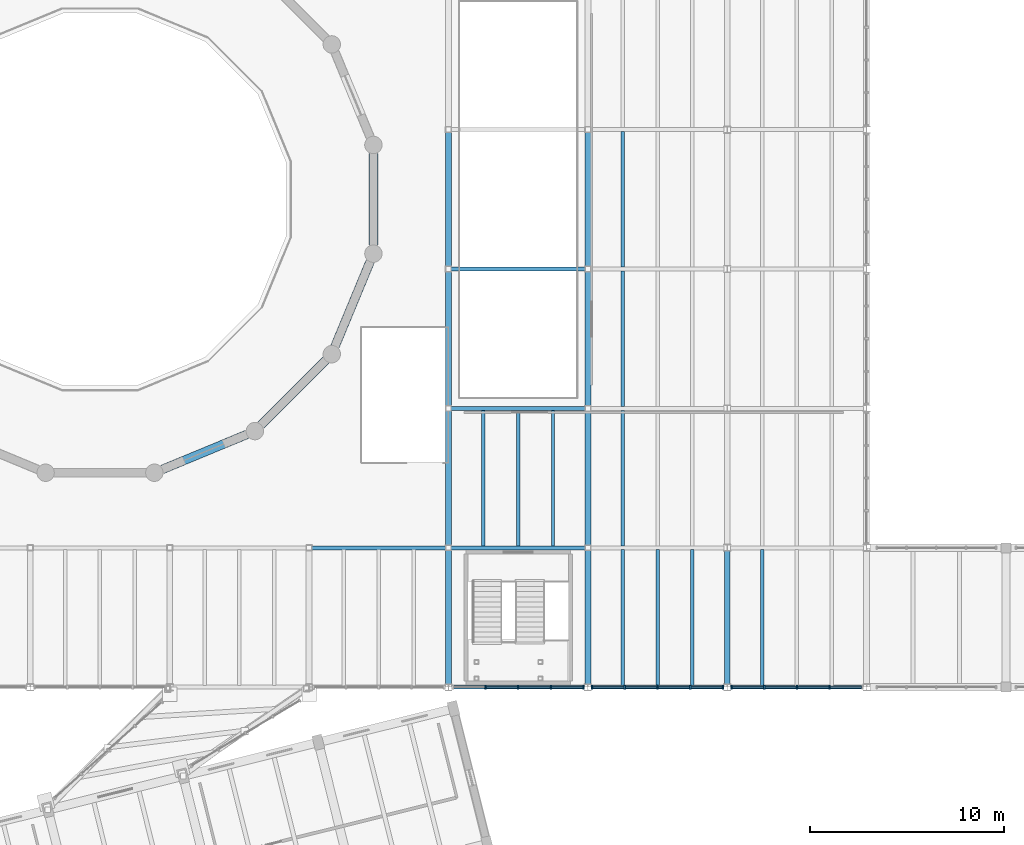
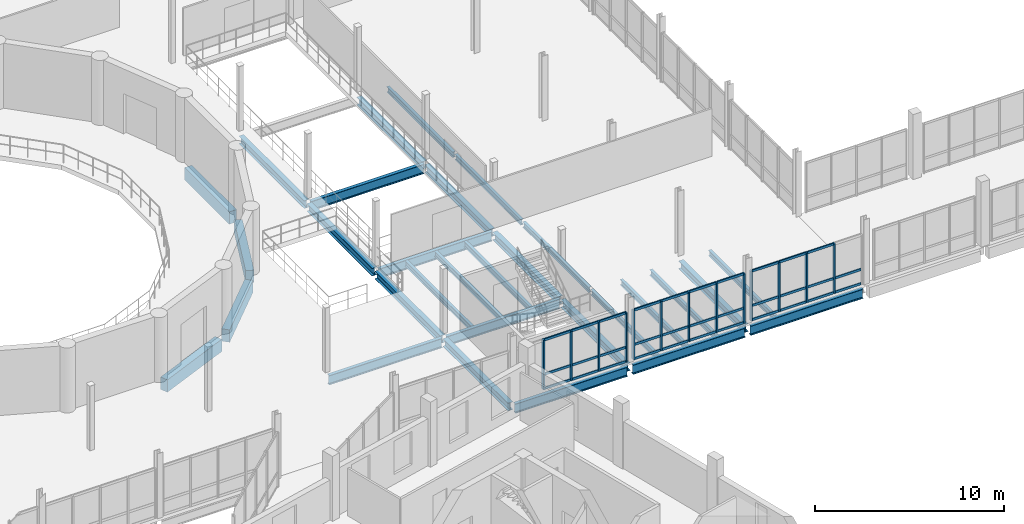
# One storey, part 25 of 72: 45 members, 30 beams, 3 elements without a shape of their own.
"""IFC4 building model written with IfcOpenShell, lengths in metres."""

from ifc_helpers import new_model, si_unit, direction, frame, origin, origin_2d, place, context, subcontext, project, spatial, rectangle, i_section, extrude, material, material_profile, profile_set, type_object, element, aggregate, save


model = new_model("IFC4")

# Units and contexts
model_context = context("Model", 3, precision=1e-05, world=origin(), true_north=direction((0.0, 1.0)))
body_context = subcontext(model_context, "Body", "Model", "MODEL_VIEW")
ifc_project = project(units=[si_unit("LENGTHUNIT", "METRE"), si_unit("AREAUNIT", "SQUARE_METRE"), si_unit("VOLUMEUNIT", "CUBIC_METRE"), si_unit("PLANEANGLEUNIT", "RADIAN"), si_unit("MASSUNIT", "GRAM", prefix="KILO")], contexts=[model_context])

# Site, building, storey
site_placement = place(None, origin())
site = spatial("IfcSite", under=ifc_project, at=site_placement, CompositionType="ELEMENT")
building_placement = place(site_placement, origin())
building = spatial("IfcBuilding", under=site, at=building_placement, Name="Qiaolan Assembly House", CompositionType="ELEMENT")
storey_placement = place(building_placement, frame((0.0, 0.0, 10.199951171875)))
storey = spatial("IfcBuildingStorey", under=building, at=storey_placement, Name="L02", CompositionType="ELEMENT", Elevation=10.199951171875)

# Beams
ifc_material_1 = material(Name="Concrete C40/50", Category="concrete")
ifc_material_profile_1 = material_profile(ifc_material_1, rectangle(XDim=0.449951171875, YDim=0.800048828125, at=origin_2d()), Name="RCB 450x800")
ifc_profile_set_1 = profile_set([ifc_material_profile_1], Name="Concrete C40/50")
beam_type_1 = type_object("IfcBeamType", Name="BM-RC-450x800", PredefinedType="BEAM", material=ifc_profile_set_1)
for number, where, z_axis, x_axis, name in (
    (1, (71.61572265625, 47.2451171875, -0.68994140625), (0.923891875042, 0.382653633501, 0.0), (-0.382653633501, 0.923891875042, 0.0), "GB-03 beam BM-DRUM-L02-12"),
    (2, (76.71142578125, 49.5380859375, -0.68994140625), (0.707106781187, 0.707106781187, 0.0), (-0.707106781187, 0.707106781187, 0.0), "GB-03 beam BM-DRUM-L02-13"),
):
    element("IfcBeam", number, at=place(storey_placement, frame(where, z_axis=z_axis, x_axis=x_axis)), inside=storey, type_object=beam_type_1, Name=name, PredefinedType="BEAM", context=body_context, shape_type="SweptSolid", body=[
        extrude(rectangle(XDim=0.449951171875, YDim=0.800048828125, at=origin_2d()), origin(), (0.0, 0.0, 1.0), 4.738525390625),
    ])
beam_1_placement = place(storey_placement, frame((80.54150390625, 53.606201171875, -0.68994140625), z_axis=(0.382697610123, 0.923873659764, 0.0), x_axis=(-0.923873659764, 0.382697610123, 0.0)))
element("IfcBeam", 3, at=beam_1_placement, inside=storey, type_object=beam_type_1, Name="GB-03 beam BM-DRUM-L02-14", PredefinedType="BEAM", context=body_context, shape_type="SweptSolid", body=[
    extrude(rectangle(XDim=0.449951171875, YDim=0.800048828125, at=origin_2d()), origin(), (0.0, 0.0, 1.0), 4.73876953125),
])
beam_2_placement = place(storey_placement, frame((82.523193359375, 58.830810546875, -0.68994140625), z_axis=(0.0, 1.0, 0.0), x_axis=(-1.0, 0.0, 0.0)))
element("IfcBeam", 4, at=beam_2_placement, inside=storey, type_object=beam_type_1, Name="GB-03 beam BM-DRUM-L02-15", PredefinedType="BEAM", context=body_context, shape_type="SweptSolid", body=[
    extrude(rectangle(XDim=0.449951171875, YDim=0.800048828125, at=origin_2d()), origin(), (0.0, 0.0, 1.0), 4.738525390625),
])
ifc_material_2 = material(Name="Steel Q355B", Category="steel")
ifc_material_profile_2 = material_profile(ifc_material_2, i_section(OverallWidth=0.300048828125, OverallDepth=0.5, WebThickness=0.010986328125, FlangeThickness=0.01806640625, FilletRadius=0.02001953125, at=origin_2d()), Name="HM 500x300x11x18")
ifc_profile_set_2 = profile_set([ifc_material_profile_2], Name="Steel Q355B")
beam_type_2 = type_object("IfcBeamType", Name="BM-STL-HM500", PredefinedType="BEAM", material=ifc_profile_set_2)
beam_3_placement = place(storey_placement, frame((86.39990234375, 36.1650390625, -0.550048828125), z_axis=(0.0, 1.0, 0.0), x_axis=(-1.0, 0.0, 0.0)))
element("IfcBeam", 5, at=beam_3_placement, inside=storey, type_object=beam_type_2, Name="SB-15 beam BMY-HL-L02-09-00", PredefinedType="BEAM", context=body_context, shape_type="SweptSolid", body=[
    extrude(i_section(OverallWidth=0.300048828125, OverallDepth=0.5, WebThickness=0.010986328125, FlangeThickness=0.01806640625, FilletRadius=0.02001953125, at=origin_2d()), origin(), (0.0, 0.0, 1.0), 6.89501953125),
])
for number, where, z_axis, x_axis, name in (
    (6, (86.39990234375, 43.340087890625, -0.550048828125), (0.0, 1.0, 0.0), (-1.0, 0.0, 0.0), "SB-15 beam BMY-HL-L02-09-01"),
    (7, (86.39990234375, 50.5400390625, -0.550048828125), (0.0, 1.0, 0.0), (-1.0, 0.0, 0.0), "SB-15 beam BMY-HL-L02-09-02"),
    (8, (86.39990234375, 57.739990234375, -0.550048828125), (0.0, 1.0, 0.0), (-1.0, 0.0, 0.0), "SB-15 beam BMY-HL-L02-09-03"),
):
    element("IfcBeam", number, at=place(storey_placement, frame(where, z_axis=z_axis, x_axis=x_axis)), inside=storey, type_object=beam_type_2, Name=name, PredefinedType="BEAM", context=body_context, shape_type="SweptSolid", body=[
        extrude(i_section(OverallWidth=0.300048828125, OverallDepth=0.5, WebThickness=0.010986328125, FlangeThickness=0.01806640625, FilletRadius=0.02001953125, at=origin_2d()), origin(), (0.0, 0.0, 1.0), 6.919921875),
    ])
beam_4_placement = place(storey_placement, frame((93.60009765625, 36.1650390625, -0.550048828125), z_axis=(0.0, 1.0, 0.0), x_axis=(-1.0, 0.0, 0.0)))
element("IfcBeam", 9, at=beam_4_placement, inside=storey, type_object=beam_type_2, Name="SB-15 beam BMY-HL-L02-10-00", PredefinedType="BEAM", context=body_context, shape_type="SweptSolid", body=[
    extrude(i_section(OverallWidth=0.300048828125, OverallDepth=0.5, WebThickness=0.010986328125, FlangeThickness=0.01806640625, FilletRadius=0.02001953125, at=origin_2d()), origin(), (0.0, 0.0, 1.0), 6.89501953125),
])
for number, where, z_axis, x_axis, name in (
    (10, (93.60009765625, 43.340087890625, -0.550048828125), (0.0, 1.0, 0.0), (-1.0, 0.0, 0.0), "SB-15 beam BMY-HL-L02-10-01"),
    (11, (93.60009765625, 50.5400390625, -0.550048828125), (0.0, 1.0, 0.0), (-1.0, 0.0, 0.0), "SB-15 beam BMY-HL-L02-10-02"),
    (12, (93.60009765625, 57.739990234375, -0.550048828125), (0.0, 1.0, 0.0), (-1.0, 0.0, 0.0), "SB-15 beam BMY-HL-L02-10-03"),
):
    element("IfcBeam", number, at=place(storey_placement, frame(where, z_axis=z_axis, x_axis=x_axis)), inside=storey, type_object=beam_type_2, Name=name, PredefinedType="BEAM", context=body_context, shape_type="SweptSolid", body=[
        extrude(i_section(OverallWidth=0.300048828125, OverallDepth=0.5, WebThickness=0.010986328125, FlangeThickness=0.01806640625, FilletRadius=0.02001953125, at=origin_2d()), origin(), (0.0, 0.0, 1.0), 6.919921875),
    ])
beam_5_placement = place(storey_placement, frame((100.800048828125, 36.1650390625, -0.550048828125), z_axis=(0.0, 1.0, 0.0), x_axis=(-1.0, 0.0, 0.0)))
element("IfcBeam", 13, at=beam_5_placement, inside=storey, type_object=beam_type_2, Name="SB-15 beam BMY-HL-L02-11-00", PredefinedType="BEAM", context=body_context, shape_type="SweptSolid", body=[
    extrude(i_section(OverallWidth=0.300048828125, OverallDepth=0.5, WebThickness=0.010986328125, FlangeThickness=0.01806640625, FilletRadius=0.02001953125, at=origin_2d()), origin(), (0.0, 0.0, 1.0), 6.869873046875),
])
ifc_material_profile_3 = material_profile(ifc_material_2, i_section(OverallWidth=0.2099609375, OverallDepth=0.610107421875, WebThickness=0.010986328125, FlangeThickness=0.01806640625, FilletRadius=0.02001953125, at=origin_2d()), Name="HN 610x210x11x18")
ifc_profile_set_3 = profile_set([ifc_material_profile_3], Name="Steel Q355B")
beam_type_3 = type_object("IfcBeamType", Name="BM-STL-HN610", PredefinedType="BEAM", material=ifc_profile_set_3)
for number, where, z_axis, x_axis, name in (
    (14, (86.56494140625, 36.0, -0.60498046875), (1.0, 0.0, 0.0), (0.0, 1.0, 0.0), "SB-11 beam BMX-HL-L02-09-00"),
    (15, (93.764892578125, 36.0, -0.60498046875), (1.0, 0.0, 0.0), (0.0, 1.0, 0.0), "SB-11 beam BMX-HL-L02-10-00"),
):
    element("IfcBeam", number, at=place(storey_placement, frame(where, z_axis=z_axis, x_axis=x_axis)), inside=storey, type_object=beam_type_3, Name=name, PredefinedType="BEAM", context=body_context, shape_type="SweptSolid", body=[
        extrude(i_section(OverallWidth=0.2099609375, OverallDepth=0.610107421875, WebThickness=0.010986328125, FlangeThickness=0.01806640625, FilletRadius=0.02001953125, at=origin_2d()), origin(), (0.0, 0.0, 1.0), 6.8701171875),
    ])
beam_6_placement = place(storey_placement, frame((100.965087890625, 36.0, -0.60498046875), z_axis=(1.0, 0.0, 0.0), x_axis=(0.0, 1.0, 0.0)))
element("IfcBeam", 16, at=beam_6_placement, inside=storey, type_object=beam_type_3, Name="SB-11 beam BMX-HL-L02-11-00", PredefinedType="BEAM", context=body_context, shape_type="SweptSolid", body=[
    extrude(i_section(OverallWidth=0.2099609375, OverallDepth=0.610107421875, WebThickness=0.010986328125, FlangeThickness=0.01806640625, FilletRadius=0.02001953125, at=origin_2d()), origin(), (0.0, 0.0, 1.0), 6.869873046875),
])
for number, where, z_axis, x_axis, name in (
    (17, (79.340087890625, 43.199951171875, -0.60498046875), (1.0, 0.0, 0.0), (0.0, 1.0, 0.0), "SB-11 beam BMX-HL-L02-08-01"),
    (18, (86.5400390625, 43.199951171875, -0.60498046875), (1.0, 0.0, 0.0), (0.0, 1.0, 0.0), "SB-11 beam BMX-HL-L02-09-01"),
    (19, (86.5400390625, 50.39990234375, -0.60498046875), (1.0, 0.0, 0.0), (0.0, 1.0, 0.0), "SB-11 beam BMX-HL-L02-09-02"),
    (20, (86.5400390625, 57.60009765625, -0.60498046875), (1.0, 0.0, 0.0), (0.0, 1.0, 0.0), "SB-11 beam BMX-HL-L02-09-03"),
):
    element("IfcBeam", number, at=place(storey_placement, frame(where, z_axis=z_axis, x_axis=x_axis)), inside=storey, type_object=beam_type_3, Name=name, PredefinedType="BEAM", context=body_context, shape_type="SweptSolid", body=[
        extrude(i_section(OverallWidth=0.2099609375, OverallDepth=0.610107421875, WebThickness=0.010986328125, FlangeThickness=0.01806640625, FilletRadius=0.02001953125, at=origin_2d()), origin(), (0.0, 0.0, 1.0), 6.919921875),
    ])

# Curtain wall, members
ifc_material_3 = material(Name="Anodised bronze aluminium", Category="aluminium")
curtain_wall_type = type_object("IfcCurtainWallType", Name="CW-HALL-UPPER-480", PredefinedType="NOTDEFINED", material=ifc_material_3)
curtain_wall_1_placement = place(storey_placement, origin())
curtain_wall_1 = element("IfcCurtainWall", 21, at=curtain_wall_1_placement, inside=storey, type_object=curtain_wall_type, Name="CW-01 Hall South plaza curtain wall L02-9", PredefinedType="NOTDEFINED")
ifc_material_profile_4 = material_profile(ifc_material_3, rectangle(XDim=0.0859375, YDim=0.199951171875, at=origin_2d()), Name="MUL 86x200")
ifc_profile_set_4 = profile_set([ifc_material_profile_4], Name="Anodised bronze aluminium")
member_type_1 = type_object("IfcMemberType", Name="CW-HALL-UPPER-480-MUL", PredefinedType="MULLION", material=ifc_profile_set_4)
member_1_placement = place(storey_placement, frame((88.31005859375, 36.0, 0.0), z_axis=(0.0, 0.0, 1.0), x_axis=(1.0, 0.0, 0.0)))
member_1 = element("IfcMember", 22, at=member_1_placement, type_object=member_type_1, Name="ML-02 mullion CW-HALL-S-L02-08-2", PredefinedType="MULLION", context=body_context, shape_type="SweptSolid", body=[
    extrude(rectangle(XDim=0.0859375, YDim=0.199951171875, at=origin_2d()), origin(), (0.0, 0.0, 1.0), 3.199951171875),
])
member_2_placement = place(storey_placement, frame((90.0, 36.0, 0.0), z_axis=(0.0, 0.0, 1.0), x_axis=(1.0, 0.0, 0.0)))
member_2 = element("IfcMember", 23, at=member_2_placement, type_object=member_type_1, Name="ML-02 mullion CW-HALL-S-L02-08-3", PredefinedType="MULLION", context=body_context, shape_type="SweptSolid", body=[
    extrude(rectangle(XDim=0.0859375, YDim=0.199951171875, at=origin_2d()), origin(), (0.0, 0.0, 1.0), 3.199951171875),
])
member_3_placement = place(storey_placement, frame((91.68994140625, 36.0, 0.0), z_axis=(0.0, 0.0, 1.0), x_axis=(1.0, 0.0, 0.0)))
member_3 = element("IfcMember", 24, at=member_3_placement, type_object=member_type_1, Name="ML-02 mullion CW-HALL-S-L02-08-4", PredefinedType="MULLION", context=body_context, shape_type="SweptSolid", body=[
    extrude(rectangle(XDim=0.0859375, YDim=0.199951171875, at=origin_2d()), origin(), (0.0, 0.0, 1.0), 3.199951171875),
])
member_4_placement = place(storey_placement, frame((93.3798828125, 36.0, 0.0), z_axis=(0.0, 0.0, 1.0), x_axis=(1.0, 0.0, 0.0)))
member_4 = element("IfcMember", 25, at=member_4_placement, type_object=member_type_1, Name="ML-02 mullion CW-HALL-S-L02-08-5", PredefinedType="MULLION", context=body_context, shape_type="SweptSolid", body=[
    extrude(rectangle(XDim=0.0859375, YDim=0.199951171875, at=origin_2d()), origin(), (0.0, 0.0, 1.0), 3.199951171875),
])

curtain_wall_2_placement = place(storey_placement, origin())
curtain_wall_2 = element("IfcCurtainWall", 26, at=curtain_wall_2_placement, inside=storey, type_object=curtain_wall_type, Name="CW-01 Hall South plaza curtain wall L02-10", PredefinedType="NOTDEFINED")
member_5_placement = place(storey_placement, frame((93.820068359375, 36.0, 0.0), z_axis=(0.0, 0.0, 1.0), x_axis=(1.0, 0.0, 0.0)))
member_5 = element("IfcMember", 27, at=member_5_placement, type_object=member_type_1, Name="ML-02 mullion CW-HALL-S-L02-09-1", PredefinedType="MULLION", context=body_context, shape_type="SweptSolid", body=[
    extrude(rectangle(XDim=0.0859375, YDim=0.199951171875, at=origin_2d()), origin(), (0.0, 0.0, 1.0), 3.199951171875),
])
member_6_placement = place(storey_placement, frame((95.510009765625, 36.0, 0.0), z_axis=(0.0, 0.0, 1.0), x_axis=(1.0, 0.0, 0.0)))
member_6 = element("IfcMember", 28, at=member_6_placement, type_object=member_type_1, Name="ML-02 mullion CW-HALL-S-L02-09-2", PredefinedType="MULLION", context=body_context, shape_type="SweptSolid", body=[
    extrude(rectangle(XDim=0.0859375, YDim=0.199951171875, at=origin_2d()), origin(), (0.0, 0.0, 1.0), 3.199951171875),
])
member_7_placement = place(storey_placement, frame((97.199951171875, 36.0, 0.0), z_axis=(0.0, 0.0, 1.0), x_axis=(1.0, 0.0, 0.0)))
member_7 = element("IfcMember", 29, at=member_7_placement, type_object=member_type_1, Name="ML-02 mullion CW-HALL-S-L02-09-3", PredefinedType="MULLION", context=body_context, shape_type="SweptSolid", body=[
    extrude(rectangle(XDim=0.0859375, YDim=0.199951171875, at=origin_2d()), origin(), (0.0, 0.0, 1.0), 3.199951171875),
])
member_8_placement = place(storey_placement, frame((98.889892578125, 36.0, 0.0), z_axis=(0.0, 0.0, 1.0), x_axis=(1.0, 0.0, 0.0)))
member_8 = element("IfcMember", 30, at=member_8_placement, type_object=member_type_1, Name="ML-02 mullion CW-HALL-S-L02-09-4", PredefinedType="MULLION", context=body_context, shape_type="SweptSolid", body=[
    extrude(rectangle(XDim=0.0859375, YDim=0.199951171875, at=origin_2d()), origin(), (0.0, 0.0, 1.0), 3.199951171875),
])
member_9_placement = place(storey_placement, frame((100.580078125, 36.0, 0.0), z_axis=(0.0, 0.0, 1.0), x_axis=(1.0, 0.0, 0.0)))
member_9 = element("IfcMember", 31, at=member_9_placement, type_object=member_type_1, Name="ML-02 mullion CW-HALL-S-L02-09-5", PredefinedType="MULLION", context=body_context, shape_type="SweptSolid", body=[
    extrude(rectangle(XDim=0.0859375, YDim=0.199951171875, at=origin_2d()), origin(), (0.0, 0.0, 1.0), 3.199951171875),
])

curtain_wall_3_placement = place(storey_placement, origin())
curtain_wall_3 = element("IfcCurtainWall", 32, at=curtain_wall_3_placement, inside=storey, type_object=curtain_wall_type, Name="CW-01 Hall South plaza curtain wall L02-11", PredefinedType="NOTDEFINED")
member_10_placement = place(storey_placement, frame((101.02001953125, 36.0, 0.0), z_axis=(0.0, 0.0, 1.0), x_axis=(1.0, 0.0, 0.0)))
member_10 = element("IfcMember", 33, at=member_10_placement, type_object=member_type_1, Name="ML-02 mullion CW-HALL-S-L02-10-1", PredefinedType="MULLION", context=body_context, shape_type="SweptSolid", body=[
    extrude(rectangle(XDim=0.0859375, YDim=0.199951171875, at=origin_2d()), origin(), (0.0, 0.0, 1.0), 3.199951171875),
])
member_11_placement = place(storey_placement, frame((102.7099609375, 36.0, 0.0), z_axis=(0.0, 0.0, 1.0), x_axis=(1.0, 0.0, 0.0)))
member_11 = element("IfcMember", 34, at=member_11_placement, type_object=member_type_1, Name="ML-02 mullion CW-HALL-S-L02-10-2", PredefinedType="MULLION", context=body_context, shape_type="SweptSolid", body=[
    extrude(rectangle(XDim=0.0859375, YDim=0.199951171875, at=origin_2d()), origin(), (0.0, 0.0, 1.0), 3.199951171875),
])
member_12_placement = place(storey_placement, frame((104.39990234375, 36.0, 0.0), z_axis=(0.0, 0.0, 1.0), x_axis=(1.0, 0.0, 0.0)))
member_12 = element("IfcMember", 35, at=member_12_placement, type_object=member_type_1, Name="ML-02 mullion CW-HALL-S-L02-10-3", PredefinedType="MULLION", context=body_context, shape_type="SweptSolid", body=[
    extrude(rectangle(XDim=0.0859375, YDim=0.199951171875, at=origin_2d()), origin(), (0.0, 0.0, 1.0), 3.199951171875),
])
member_13_placement = place(storey_placement, frame((106.090087890625, 36.0, 0.0), z_axis=(0.0, 0.0, 1.0), x_axis=(1.0, 0.0, 0.0)))
member_13 = element("IfcMember", 36, at=member_13_placement, type_object=member_type_1, Name="ML-02 mullion CW-HALL-S-L02-10-4", PredefinedType="MULLION", context=body_context, shape_type="SweptSolid", body=[
    extrude(rectangle(XDim=0.0859375, YDim=0.199951171875, at=origin_2d()), origin(), (0.0, 0.0, 1.0), 3.199951171875),
])

# Member
ifc_material_profile_5 = material_profile(ifc_material_3, rectangle(XDim=0.075927734375, YDim=0.14990234375, at=origin_2d()), Name="TRN 76x150")
ifc_profile_set_5 = profile_set([ifc_material_profile_5], Name="Anodised bronze aluminium")
member_type_2 = type_object("IfcMemberType", Name="CW-HALL-UPPER-480-TRN", PredefinedType="USERDEFINED", material=ifc_profile_set_5)
member_14_placement = place(storey_placement, frame((88.35302734375, 36.0, 0.030029296875), z_axis=(1.0, 0.0, 0.0), x_axis=(0.0, 1.0, 0.0)))
member_14 = element("IfcMember", 37, at=member_14_placement, type_object=member_type_2, Name="TR-02 transom CW-HALL-S-L02-08-2-1", ObjectType="TRANSOM", PredefinedType="USERDEFINED", context=body_context, shape_type="SweptSolid", body=[
    extrude(rectangle(XDim=0.075927734375, YDim=0.14990234375, at=origin_2d()), origin(), (0.0, 0.0, 1.0), 1.60400390625),
])

member_15_placement = place(storey_placement, frame((88.35302734375, 36.0, 0.949951171875), z_axis=(1.0, 0.0, 0.0), x_axis=(0.0, 1.0, 0.0)))
member_15 = element("IfcMember", 38, at=member_15_placement, type_object=member_type_2, Name="TR-02 transom CW-HALL-S-L02-08-2-2", ObjectType="TRANSOM", PredefinedType="USERDEFINED", context=body_context, shape_type="SweptSolid", body=[
    extrude(rectangle(XDim=0.075927734375, YDim=0.14990234375, at=origin_2d()), origin(), (0.0, 0.0, 1.0), 1.60400390625),
])

member_16_placement = place(storey_placement, frame((88.35302734375, 36.0, 3.170166015625), z_axis=(1.0, 0.0, 0.0), x_axis=(0.0, 1.0, 0.0)))
member_16 = element("IfcMember", 39, at=member_16_placement, type_object=member_type_2, Name="TR-02 transom CW-HALL-S-L02-08-2-3", ObjectType="TRANSOM", PredefinedType="USERDEFINED", context=body_context, shape_type="SweptSolid", body=[
    extrude(rectangle(XDim=0.075927734375, YDim=0.14990234375, at=origin_2d()), origin(), (0.0, 0.0, 1.0), 1.60400390625),
])

member_17_placement = place(storey_placement, frame((90.04296875, 36.0, 0.030029296875), z_axis=(1.0, 0.0, 0.0), x_axis=(0.0, 1.0, 0.0)))
member_17 = element("IfcMember", 40, at=member_17_placement, type_object=member_type_2, Name="TR-02 transom CW-HALL-S-L02-08-3-1", ObjectType="TRANSOM", PredefinedType="USERDEFINED", context=body_context, shape_type="SweptSolid", body=[
    extrude(rectangle(XDim=0.075927734375, YDim=0.14990234375, at=origin_2d()), origin(), (0.0, 0.0, 1.0), 1.60400390625),
])

member_18_placement = place(storey_placement, frame((90.04296875, 36.0, 0.949951171875), z_axis=(1.0, 0.0, 0.0), x_axis=(0.0, 1.0, 0.0)))
member_18 = element("IfcMember", 41, at=member_18_placement, type_object=member_type_2, Name="TR-02 transom CW-HALL-S-L02-08-3-2", ObjectType="TRANSOM", PredefinedType="USERDEFINED", context=body_context, shape_type="SweptSolid", body=[
    extrude(rectangle(XDim=0.075927734375, YDim=0.14990234375, at=origin_2d()), origin(), (0.0, 0.0, 1.0), 1.60400390625),
])

member_19_placement = place(storey_placement, frame((90.04296875, 36.0, 3.170166015625), z_axis=(1.0, 0.0, 0.0), x_axis=(0.0, 1.0, 0.0)))
member_19 = element("IfcMember", 42, at=member_19_placement, type_object=member_type_2, Name="TR-02 transom CW-HALL-S-L02-08-3-3", ObjectType="TRANSOM", PredefinedType="USERDEFINED", context=body_context, shape_type="SweptSolid", body=[
    extrude(rectangle(XDim=0.075927734375, YDim=0.14990234375, at=origin_2d()), origin(), (0.0, 0.0, 1.0), 1.60400390625),
])

member_20_placement = place(storey_placement, frame((91.73291015625, 36.0, 0.030029296875), z_axis=(1.0, 0.0, 0.0), x_axis=(0.0, 1.0, 0.0)))
member_20 = element("IfcMember", 43, at=member_20_placement, type_object=member_type_2, Name="TR-02 transom CW-HALL-S-L02-08-4-1", ObjectType="TRANSOM", PredefinedType="USERDEFINED", context=body_context, shape_type="SweptSolid", body=[
    extrude(rectangle(XDim=0.075927734375, YDim=0.14990234375, at=origin_2d()), origin(), (0.0, 0.0, 1.0), 1.60400390625),
])

member_21_placement = place(storey_placement, frame((91.73291015625, 36.0, 0.949951171875), z_axis=(1.0, 0.0, 0.0), x_axis=(0.0, 1.0, 0.0)))
member_21 = element("IfcMember", 44, at=member_21_placement, type_object=member_type_2, Name="TR-02 transom CW-HALL-S-L02-08-4-2", ObjectType="TRANSOM", PredefinedType="USERDEFINED", context=body_context, shape_type="SweptSolid", body=[
    extrude(rectangle(XDim=0.075927734375, YDim=0.14990234375, at=origin_2d()), origin(), (0.0, 0.0, 1.0), 1.60400390625),
])

member_22_placement = place(storey_placement, frame((91.73291015625, 36.0, 3.170166015625), z_axis=(1.0, 0.0, 0.0), x_axis=(0.0, 1.0, 0.0)))
member_22 = element("IfcMember", 45, at=member_22_placement, type_object=member_type_2, Name="TR-02 transom CW-HALL-S-L02-08-4-3", ObjectType="TRANSOM", PredefinedType="USERDEFINED", context=body_context, shape_type="SweptSolid", body=[
    extrude(rectangle(XDim=0.075927734375, YDim=0.14990234375, at=origin_2d()), origin(), (0.0, 0.0, 1.0), 1.60400390625),
])

aggregate(curtain_wall_1, [member_1, member_2, member_3, member_4, member_14, member_15, member_16, member_17, member_18, member_19, member_20, member_21, member_22])

member_23_placement = place(storey_placement, frame((93.863037109375, 36.0, 0.030029296875), z_axis=(1.0, 0.0, 0.0), x_axis=(0.0, 1.0, 0.0)))
member_23 = element("IfcMember", 46, at=member_23_placement, type_object=member_type_2, Name="TR-02 transom CW-HALL-S-L02-09-1-1", ObjectType="TRANSOM", PredefinedType="USERDEFINED", context=body_context, shape_type="SweptSolid", body=[
    extrude(rectangle(XDim=0.075927734375, YDim=0.14990234375, at=origin_2d()), origin(), (0.0, 0.0, 1.0), 1.60400390625),
])

member_24_placement = place(storey_placement, frame((93.863037109375, 36.0, 0.949951171875), z_axis=(1.0, 0.0, 0.0), x_axis=(0.0, 1.0, 0.0)))
member_24 = element("IfcMember", 47, at=member_24_placement, type_object=member_type_2, Name="TR-02 transom CW-HALL-S-L02-09-1-2", ObjectType="TRANSOM", PredefinedType="USERDEFINED", context=body_context, shape_type="SweptSolid", body=[
    extrude(rectangle(XDim=0.075927734375, YDim=0.14990234375, at=origin_2d()), origin(), (0.0, 0.0, 1.0), 1.60400390625),
])

member_25_placement = place(storey_placement, frame((93.863037109375, 36.0, 3.170166015625), z_axis=(1.0, 0.0, 0.0), x_axis=(0.0, 1.0, 0.0)))
member_25 = element("IfcMember", 48, at=member_25_placement, type_object=member_type_2, Name="TR-02 transom CW-HALL-S-L02-09-1-3", ObjectType="TRANSOM", PredefinedType="USERDEFINED", context=body_context, shape_type="SweptSolid", body=[
    extrude(rectangle(XDim=0.075927734375, YDim=0.14990234375, at=origin_2d()), origin(), (0.0, 0.0, 1.0), 1.60400390625),
])

member_26_placement = place(storey_placement, frame((95.552978515625, 36.0, 0.030029296875), z_axis=(1.0, 0.0, 0.0), x_axis=(0.0, 1.0, 0.0)))
member_26 = element("IfcMember", 49, at=member_26_placement, type_object=member_type_2, Name="TR-02 transom CW-HALL-S-L02-09-2-1", ObjectType="TRANSOM", PredefinedType="USERDEFINED", context=body_context, shape_type="SweptSolid", body=[
    extrude(rectangle(XDim=0.075927734375, YDim=0.14990234375, at=origin_2d()), origin(), (0.0, 0.0, 1.0), 1.60400390625),
])

member_27_placement = place(storey_placement, frame((95.552978515625, 36.0, 0.949951171875), z_axis=(1.0, 0.0, 0.0), x_axis=(0.0, 1.0, 0.0)))
member_27 = element("IfcMember", 50, at=member_27_placement, type_object=member_type_2, Name="TR-02 transom CW-HALL-S-L02-09-2-2", ObjectType="TRANSOM", PredefinedType="USERDEFINED", context=body_context, shape_type="SweptSolid", body=[
    extrude(rectangle(XDim=0.075927734375, YDim=0.14990234375, at=origin_2d()), origin(), (0.0, 0.0, 1.0), 1.60400390625),
])

member_28_placement = place(storey_placement, frame((95.552978515625, 36.0, 3.170166015625), z_axis=(1.0, 0.0, 0.0), x_axis=(0.0, 1.0, 0.0)))
member_28 = element("IfcMember", 51, at=member_28_placement, type_object=member_type_2, Name="TR-02 transom CW-HALL-S-L02-09-2-3", ObjectType="TRANSOM", PredefinedType="USERDEFINED", context=body_context, shape_type="SweptSolid", body=[
    extrude(rectangle(XDim=0.075927734375, YDim=0.14990234375, at=origin_2d()), origin(), (0.0, 0.0, 1.0), 1.60400390625),
])

member_29_placement = place(storey_placement, frame((97.242919921875, 36.0, 0.030029296875), z_axis=(1.0, 0.0, 0.0), x_axis=(0.0, 1.0, 0.0)))
member_29 = element("IfcMember", 52, at=member_29_placement, type_object=member_type_2, Name="TR-02 transom CW-HALL-S-L02-09-3-1", ObjectType="TRANSOM", PredefinedType="USERDEFINED", context=body_context, shape_type="SweptSolid", body=[
    extrude(rectangle(XDim=0.075927734375, YDim=0.14990234375, at=origin_2d()), origin(), (0.0, 0.0, 1.0), 1.60400390625),
])

member_30_placement = place(storey_placement, frame((97.242919921875, 36.0, 0.949951171875), z_axis=(1.0, 0.0, 0.0), x_axis=(0.0, 1.0, 0.0)))
member_30 = element("IfcMember", 53, at=member_30_placement, type_object=member_type_2, Name="TR-02 transom CW-HALL-S-L02-09-3-2", ObjectType="TRANSOM", PredefinedType="USERDEFINED", context=body_context, shape_type="SweptSolid", body=[
    extrude(rectangle(XDim=0.075927734375, YDim=0.14990234375, at=origin_2d()), origin(), (0.0, 0.0, 1.0), 1.60400390625),
])

member_31_placement = place(storey_placement, frame((97.242919921875, 36.0, 3.170166015625), z_axis=(1.0, 0.0, 0.0), x_axis=(0.0, 1.0, 0.0)))
member_31 = element("IfcMember", 54, at=member_31_placement, type_object=member_type_2, Name="TR-02 transom CW-HALL-S-L02-09-3-3", ObjectType="TRANSOM", PredefinedType="USERDEFINED", context=body_context, shape_type="SweptSolid", body=[
    extrude(rectangle(XDim=0.075927734375, YDim=0.14990234375, at=origin_2d()), origin(), (0.0, 0.0, 1.0), 1.60400390625),
])

member_32_placement = place(storey_placement, frame((98.93310546875, 36.0, 0.030029296875), z_axis=(1.0, 0.0, 0.0), x_axis=(0.0, 1.0, 0.0)))
member_32 = element("IfcMember", 55, at=member_32_placement, type_object=member_type_2, Name="TR-02 transom CW-HALL-S-L02-09-4-1", ObjectType="TRANSOM", PredefinedType="USERDEFINED", context=body_context, shape_type="SweptSolid", body=[
    extrude(rectangle(XDim=0.075927734375, YDim=0.14990234375, at=origin_2d()), origin(), (0.0, 0.0, 1.0), 1.60400390625),
])

member_33_placement = place(storey_placement, frame((98.93310546875, 36.0, 0.949951171875), z_axis=(1.0, 0.0, 0.0), x_axis=(0.0, 1.0, 0.0)))
member_33 = element("IfcMember", 56, at=member_33_placement, type_object=member_type_2, Name="TR-02 transom CW-HALL-S-L02-09-4-2", ObjectType="TRANSOM", PredefinedType="USERDEFINED", context=body_context, shape_type="SweptSolid", body=[
    extrude(rectangle(XDim=0.075927734375, YDim=0.14990234375, at=origin_2d()), origin(), (0.0, 0.0, 1.0), 1.60400390625),
])

member_34_placement = place(storey_placement, frame((98.93310546875, 36.0, 3.170166015625), z_axis=(1.0, 0.0, 0.0), x_axis=(0.0, 1.0, 0.0)))
member_34 = element("IfcMember", 57, at=member_34_placement, type_object=member_type_2, Name="TR-02 transom CW-HALL-S-L02-09-4-3", ObjectType="TRANSOM", PredefinedType="USERDEFINED", context=body_context, shape_type="SweptSolid", body=[
    extrude(rectangle(XDim=0.075927734375, YDim=0.14990234375, at=origin_2d()), origin(), (0.0, 0.0, 1.0), 1.60400390625),
])

aggregate(curtain_wall_2, [member_5, member_6, member_7, member_8, member_9, member_23, member_24, member_25, member_26, member_27, member_28, member_29, member_30, member_31, member_32, member_33, member_34])

member_35_placement = place(storey_placement, frame((101.06298828125, 36.0, 0.030029296875), z_axis=(1.0, 0.0, 0.0), x_axis=(0.0, 1.0, 0.0)))
member_35 = element("IfcMember", 58, at=member_35_placement, type_object=member_type_2, Name="TR-02 transom CW-HALL-S-L02-10-1-1", ObjectType="TRANSOM", PredefinedType="USERDEFINED", context=body_context, shape_type="SweptSolid", body=[
    extrude(rectangle(XDim=0.075927734375, YDim=0.14990234375, at=origin_2d()), origin(), (0.0, 0.0, 1.0), 1.60400390625),
])

member_36_placement = place(storey_placement, frame((101.06298828125, 36.0, 0.949951171875), z_axis=(1.0, 0.0, 0.0), x_axis=(0.0, 1.0, 0.0)))
member_36 = element("IfcMember", 59, at=member_36_placement, type_object=member_type_2, Name="TR-02 transom CW-HALL-S-L02-10-1-2", ObjectType="TRANSOM", PredefinedType="USERDEFINED", context=body_context, shape_type="SweptSolid", body=[
    extrude(rectangle(XDim=0.075927734375, YDim=0.14990234375, at=origin_2d()), origin(), (0.0, 0.0, 1.0), 1.60400390625),
])

member_37_placement = place(storey_placement, frame((101.06298828125, 36.0, 3.170166015625), z_axis=(1.0, 0.0, 0.0), x_axis=(0.0, 1.0, 0.0)))
member_37 = element("IfcMember", 60, at=member_37_placement, type_object=member_type_2, Name="TR-02 transom CW-HALL-S-L02-10-1-3", ObjectType="TRANSOM", PredefinedType="USERDEFINED", context=body_context, shape_type="SweptSolid", body=[
    extrude(rectangle(XDim=0.075927734375, YDim=0.14990234375, at=origin_2d()), origin(), (0.0, 0.0, 1.0), 1.60400390625),
])

member_38_placement = place(storey_placement, frame((102.7529296875, 36.0, 0.030029296875), z_axis=(1.0, 0.0, 0.0), x_axis=(0.0, 1.0, 0.0)))
member_38 = element("IfcMember", 61, at=member_38_placement, type_object=member_type_2, Name="TR-02 transom CW-HALL-S-L02-10-2-1", ObjectType="TRANSOM", PredefinedType="USERDEFINED", context=body_context, shape_type="SweptSolid", body=[
    extrude(rectangle(XDim=0.075927734375, YDim=0.14990234375, at=origin_2d()), origin(), (0.0, 0.0, 1.0), 1.60400390625),
])

member_39_placement = place(storey_placement, frame((102.7529296875, 36.0, 0.949951171875), z_axis=(1.0, 0.0, 0.0), x_axis=(0.0, 1.0, 0.0)))
member_39 = element("IfcMember", 62, at=member_39_placement, type_object=member_type_2, Name="TR-02 transom CW-HALL-S-L02-10-2-2", ObjectType="TRANSOM", PredefinedType="USERDEFINED", context=body_context, shape_type="SweptSolid", body=[
    extrude(rectangle(XDim=0.075927734375, YDim=0.14990234375, at=origin_2d()), origin(), (0.0, 0.0, 1.0), 1.60400390625),
])

member_40_placement = place(storey_placement, frame((102.7529296875, 36.0, 3.170166015625), z_axis=(1.0, 0.0, 0.0), x_axis=(0.0, 1.0, 0.0)))
member_40 = element("IfcMember", 63, at=member_40_placement, type_object=member_type_2, Name="TR-02 transom CW-HALL-S-L02-10-2-3", ObjectType="TRANSOM", PredefinedType="USERDEFINED", context=body_context, shape_type="SweptSolid", body=[
    extrude(rectangle(XDim=0.075927734375, YDim=0.14990234375, at=origin_2d()), origin(), (0.0, 0.0, 1.0), 1.60400390625),
])

member_41_placement = place(storey_placement, frame((104.443115234375, 36.0, 0.030029296875), z_axis=(1.0, 0.0, 0.0), x_axis=(0.0, 1.0, 0.0)))
member_41 = element("IfcMember", 64, at=member_41_placement, type_object=member_type_2, Name="TR-02 transom CW-HALL-S-L02-10-3-1", ObjectType="TRANSOM", PredefinedType="USERDEFINED", context=body_context, shape_type="SweptSolid", body=[
    extrude(rectangle(XDim=0.075927734375, YDim=0.14990234375, at=origin_2d()), origin(), (0.0, 0.0, 1.0), 1.60400390625),
])

member_42_placement = place(storey_placement, frame((104.443115234375, 36.0, 0.949951171875), z_axis=(1.0, 0.0, 0.0), x_axis=(0.0, 1.0, 0.0)))
member_42 = element("IfcMember", 65, at=member_42_placement, type_object=member_type_2, Name="TR-02 transom CW-HALL-S-L02-10-3-2", ObjectType="TRANSOM", PredefinedType="USERDEFINED", context=body_context, shape_type="SweptSolid", body=[
    extrude(rectangle(XDim=0.075927734375, YDim=0.14990234375, at=origin_2d()), origin(), (0.0, 0.0, 1.0), 1.60400390625),
])

member_43_placement = place(storey_placement, frame((104.443115234375, 36.0, 3.170166015625), z_axis=(1.0, 0.0, 0.0), x_axis=(0.0, 1.0, 0.0)))
member_43 = element("IfcMember", 66, at=member_43_placement, type_object=member_type_2, Name="TR-02 transom CW-HALL-S-L02-10-3-3", ObjectType="TRANSOM", PredefinedType="USERDEFINED", context=body_context, shape_type="SweptSolid", body=[
    extrude(rectangle(XDim=0.075927734375, YDim=0.14990234375, at=origin_2d()), origin(), (0.0, 0.0, 1.0), 1.60400390625),
])

member_44_placement = place(storey_placement, frame((106.133056640625, 36.0, 0.030029296875), z_axis=(1.0, 0.0, 0.0), x_axis=(0.0, 1.0, 0.0)))
member_44 = element("IfcMember", 67, at=member_44_placement, type_object=member_type_2, Name="TR-02 transom CW-HALL-S-L02-10-4-1", ObjectType="TRANSOM", PredefinedType="USERDEFINED", context=body_context, shape_type="SweptSolid", body=[
    extrude(rectangle(XDim=0.075927734375, YDim=0.14990234375, at=origin_2d()), origin(), (0.0, 0.0, 1.0), 1.60400390625),
])

member_45_placement = place(storey_placement, frame((106.133056640625, 36.0, 0.949951171875), z_axis=(1.0, 0.0, 0.0), x_axis=(0.0, 1.0, 0.0)))
member_45 = element("IfcMember", 68, at=member_45_placement, type_object=member_type_2, Name="TR-02 transom CW-HALL-S-L02-10-4-2", ObjectType="TRANSOM", PredefinedType="USERDEFINED", context=body_context, shape_type="SweptSolid", body=[
    extrude(rectangle(XDim=0.075927734375, YDim=0.14990234375, at=origin_2d()), origin(), (0.0, 0.0, 1.0), 1.60400390625),
])

aggregate(curtain_wall_3, [member_10, member_11, member_12, member_13, member_35, member_36, member_37, member_38, member_39, member_40, member_41, member_42, member_43, member_44, member_45])

# Beams
ifc_material_profile_6 = material_profile(ifc_material_2, i_section(OverallWidth=0.179931640625, OverallDepth=0.35498046875, WebThickness=0.007568359375, FlangeThickness=0.011474609375, FilletRadius=0.013916015625, at=origin_2d()), Name="HM 355x180x7.5x11.5")
ifc_profile_set_6 = profile_set([ifc_material_profile_6], Name="Steel Q355B")
beam_type_4 = type_object("IfcBeamType", Name="JST-STL-HM355", PredefinedType="JOIST", material=ifc_profile_set_6)
for number, where, z_axis, x_axis, name in (
    (69, (88.199951171875, 43.299072265625, -0.4775390625), (0.0, 1.0, 0.0), (-1.0, 0.0, 0.0), "SJ-04 beam JST-HL-L02-09-01-1"),
    (70, (90.0, 43.299072265625, -0.4775390625), (0.0, 1.0, 0.0), (-1.0, 0.0, 0.0), "SJ-04 beam JST-HL-L02-09-01-2"),
    (71, (91.800048828125, 43.299072265625, -0.4775390625), (0.0, 1.0, 0.0), (-1.0, 0.0, 0.0), "SJ-04 beam JST-HL-L02-09-01-3"),
    (72, (95.39990234375, 36.09912109375, -0.4775390625), (0.0, 1.0, 0.0), (-1.0, 0.0, 0.0), "SJ-04 beam JST-HL-L02-10-00-1"),
    (73, (97.199951171875, 36.09912109375, -0.4775390625), (0.0, 1.0, 0.0), (-1.0, 0.0, 0.0), "SJ-04 beam JST-HL-L02-10-00-2"),
    (74, (99.0, 36.09912109375, -0.4775390625), (0.0, 1.0, 0.0), (-1.0, 0.0, 0.0), "SJ-04 beam JST-HL-L02-10-00-3"),
    (75, (95.39990234375, 43.299072265625, -0.4775390625), (0.0, 1.0, 0.0), (-1.0, 0.0, 0.0), "SJ-04 beam JST-HL-L02-10-01-1"),
    (76, (95.39990234375, 50.4990234375, -0.4775390625), (0.0, 1.0, 0.0), (-1.0, 0.0, 0.0), "SJ-04 beam JST-HL-L02-10-02-1"),
    (77, (95.39990234375, 57.698974609375, -0.4775390625), (0.0, 1.0, 0.0), (-1.0, 0.0, 0.0), "SJ-04 beam JST-HL-L02-10-03-1"),
    (78, (102.60009765625, 36.09912109375, -0.4775390625), (0.0, 1.0, 0.0), (-1.0, 0.0, 0.0), "SJ-04 beam JST-HL-L02-11-00-1"),
):
    element("IfcBeam", number, at=place(storey_placement, frame(where, z_axis=z_axis, x_axis=x_axis)), inside=storey, type_object=beam_type_4, Name=name, PredefinedType="JOIST", context=body_context, shape_type="SweptSolid", body=[
        extrude(i_section(OverallWidth=0.179931640625, OverallDepth=0.35498046875, WebThickness=0.007568359375, FlangeThickness=0.011474609375, FilletRadius=0.013916015625, at=origin_2d()), origin(), (0.0, 0.0, 1.0), 7.001953125),
    ])

save(model, "model.ifc")
